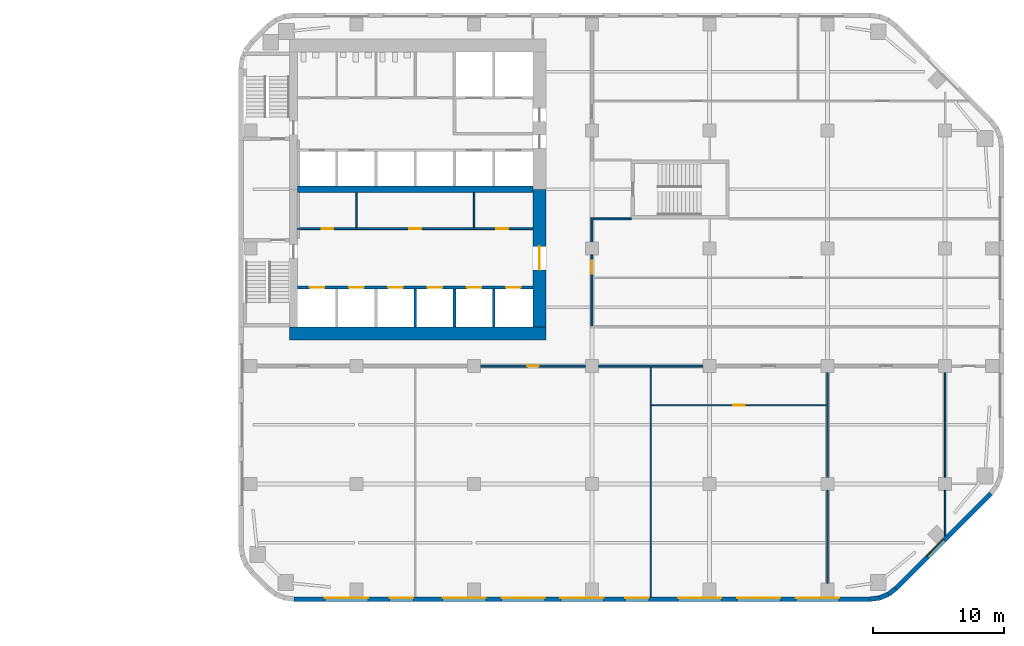
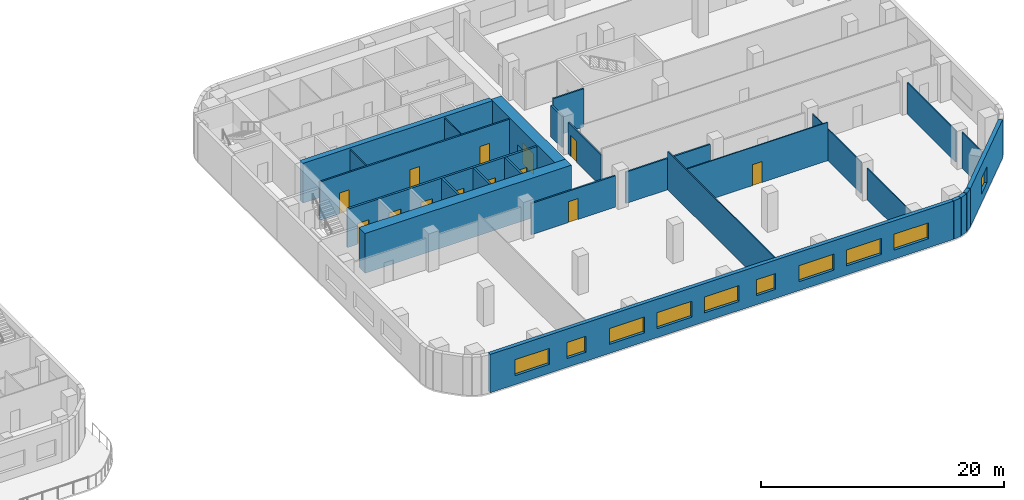
# One storey, part 9 of 15: 26 walls, 13 doors, 10 windows, 23 openings.
"""IFC4 building model written with IfcOpenShell, lengths in metres."""

from ifc_helpers import new_model, si_unit, direction, frame, frame_2d, origin, place, context, subcontext, project, spatial, rectangle, extrude, material, layer, layer_set, type_object, element, fill, save


model = new_model("IFC4")

# Units and contexts
model_context = context("Model", 3, precision=1e-05, world=origin(), true_north=direction((0.0, 1.0)))
body_context = subcontext(model_context, "Body", "Model", "MODEL_VIEW")
ifc_project = project(units=[si_unit("LENGTHUNIT", "METRE"), si_unit("AREAUNIT", "SQUARE_METRE"), si_unit("VOLUMEUNIT", "CUBIC_METRE"), si_unit("PLANEANGLEUNIT", "RADIAN"), si_unit("MASSUNIT", "GRAM", prefix="KILO")], contexts=[model_context])

# Site, building, storey
site_placement = place(None, origin())
site = spatial("IfcSite", under=ifc_project, at=site_placement, CompositionType="ELEMENT")
building_placement = place(site_placement, origin())
building = spatial("IfcBuilding", under=site, at=building_placement, Name="Cinnabar Reach Civic Tower", CompositionType="ELEMENT")
storey_placement = place(building_placement, frame((0.0, 0.0, 51.0)))
storey = spatial("IfcBuildingStorey", under=building, at=storey_placement, Name="L11", CompositionType="ELEMENT", Elevation=51.0)

# Walls
ifc_material_1 = material(Name="Facing brick with insulated backing", Category="masonry")
ifc_layer_1 = layer(ifc_material_1, 0.36)
ifc_layer_set_1 = layer_set([ifc_layer_1], Name="Brick corner wall")
wall_type_1 = type_object("IfcWallType", Name="Brick corner wall", PredefinedType="STANDARD", material=ifc_layer_set_1)
for number, where, z_axis, x_axis, name in (
    (1, (48.2686, 0.183, 0.0), (0.0, 0.0, 1.0), (0.99144092581, 0.13055608231, 0.0), "Brick corner wall"),
    (2, (48.9973, 0.2819, 0.0), (0.0, 0.0, 1.0), (0.923871547278, 0.382702709855, 0.0), "Brick corner wall"),
):
    element("IfcWall", number, at=place(storey_placement, frame(where, z_axis=z_axis, x_axis=x_axis)), inside=storey, type_object=wall_type_1, Name=name, PredefinedType="STANDARD", context=body_context, shape_type="SweptSolid", body=[
        extrude(rectangle(XDim=0.7131, YDim=0.36, at=frame_2d((0.3565, 0.0))), origin(), (0.0, 0.0, 1.0), 3.85),
    ])
wall_1_placement = place(storey_placement, frame((49.6755, 0.566, 0.0), z_axis=(0.0, 0.0, 1.0), x_axis=(0.793321924995, 0.608802368033, 0.0)))
element("IfcWall", 3, at=wall_1_placement, inside=storey, type_object=wall_type_1, Name="Brick corner wall", PredefinedType="STANDARD", context=body_context, shape_type="SweptSolid", body=[
    extrude(rectangle(XDim=0.7132, YDim=0.36, at=frame_2d((0.3566, 0.0))), origin(), (0.0, 0.0, 1.0), 3.85),
])

# Wall, openings, windows
ifc_layer_2 = layer(ifc_material_1, 0.36)
ifc_layer_set_2 = layer_set([ifc_layer_2], Name="Brick pier and spandrel wall")
wall_type_2 = type_object("IfcWallType", Name="Brick pier and spandrel wall", PredefinedType="STANDARD", material=ifc_layer_set_2)
wall_2_placement = place(storey_placement, frame((4.2426, 0.18, 0.0), z_axis=(0.0, 0.0, 1.0), x_axis=(1.0, 0.0, 0.0)))
wall_2 = element("IfcWall", 4, at=wall_2_placement, inside=storey, type_object=wall_type_2, Name="Brick facade wall", PredefinedType="STANDARD", context=body_context, shape_type="SweptSolid", body=[
    extrude(rectangle(XDim=44.0148, YDim=0.36, at=frame_2d((22.0074, 0.0))), origin(), (0.0, 0.0, 1.0), 3.85),
])
opening_1_placement = place(wall_2_placement, frame((2.3574, 0.0, 0.9)))
opening_1 = element("IfcOpeningElement", 5, at=opening_1_placement, cuts=wall_2, Name="Opening W1159", PredefinedType="OPENING", context=body_context, shape_type="SweptSolid", body=[
    extrude(rectangle(XDim=3.3, YDim=1.6, at=frame_2d((1.65, 0.8))), frame((0.0, 0.19, 0.0), z_axis=(0.0, -1.0, 0.0), x_axis=(1.0, 0.0, 0.0)), (0.0, 0.0, 1.0), 0.38),
])
opening_2_placement = place(wall_2_placement, frame((7.3074, 0.0, 0.9)))
opening_2 = element("IfcOpeningElement", 6, at=opening_2_placement, cuts=wall_2, Name="Opening W1160", PredefinedType="OPENING", context=body_context, shape_type="SweptSolid", body=[
    extrude(rectangle(XDim=1.8, YDim=1.6, at=frame_2d((0.9, 0.8))), frame((0.0, 0.19, 0.0), z_axis=(0.0, -1.0, 0.0), x_axis=(1.0, 0.0, 0.0)), (0.0, 0.0, 1.0), 0.38),
])
opening_3_placement = place(wall_2_placement, frame((11.3574, 0.0, 0.9)))
opening_3 = element("IfcOpeningElement", 7, at=opening_3_placement, cuts=wall_2, Name="Opening W1161", PredefinedType="OPENING", context=body_context, shape_type="SweptSolid", body=[
    extrude(rectangle(XDim=3.3, YDim=1.6, at=frame_2d((1.65, 0.8))), frame((0.0, 0.19, 0.0), z_axis=(0.0, -1.0, 0.0), x_axis=(1.0, 0.0, 0.0)), (0.0, 0.0, 1.0), 0.38),
])
opening_4_placement = place(wall_2_placement, frame((15.8574, 0.0, 0.9)))
opening_4 = element("IfcOpeningElement", 8, at=opening_4_placement, cuts=wall_2, Name="Opening W1162", PredefinedType="OPENING", context=body_context, shape_type="SweptSolid", body=[
    extrude(rectangle(XDim=3.3, YDim=1.6, at=frame_2d((1.65, 0.8))), frame((0.0, 0.19, 0.0), z_axis=(0.0, -1.0, 0.0), x_axis=(1.0, 0.0, 0.0)), (0.0, 0.0, 1.0), 0.38),
])
opening_5_placement = place(wall_2_placement, frame((20.3574, 0.0, 0.9)))
opening_5 = element("IfcOpeningElement", 9, at=opening_5_placement, cuts=wall_2, Name="Opening W1163", PredefinedType="OPENING", context=body_context, shape_type="SweptSolid", body=[
    extrude(rectangle(XDim=3.3, YDim=1.6, at=frame_2d((1.65, 0.8))), frame((0.0, 0.19, 0.0), z_axis=(0.0, -1.0, 0.0), x_axis=(1.0, 0.0, 0.0)), (0.0, 0.0, 1.0), 0.38),
])
opening_6_placement = place(wall_2_placement, frame((25.3074, 0.0, 0.9)))
opening_6 = element("IfcOpeningElement", 10, at=opening_6_placement, cuts=wall_2, Name="Opening W1164", PredefinedType="OPENING", context=body_context, shape_type="SweptSolid", body=[
    extrude(rectangle(XDim=1.8, YDim=1.6, at=frame_2d((0.9, 0.8))), frame((0.0, 0.19, 0.0), z_axis=(0.0, -1.0, 0.0), x_axis=(1.0, 0.0, 0.0)), (0.0, 0.0, 1.0), 0.38),
])
opening_7_placement = place(wall_2_placement, frame((29.3574, 0.0, 0.9)))
opening_7 = element("IfcOpeningElement", 11, at=opening_7_placement, cuts=wall_2, Name="Opening W1165", PredefinedType="OPENING", context=body_context, shape_type="SweptSolid", body=[
    extrude(rectangle(XDim=3.3, YDim=1.6, at=frame_2d((1.65, 0.8))), frame((0.0, 0.19, 0.0), z_axis=(0.0, -1.0, 0.0), x_axis=(1.0, 0.0, 0.0)), (0.0, 0.0, 1.0), 0.38),
])
opening_8_placement = place(wall_2_placement, frame((33.8574, 0.0, 0.9)))
opening_8 = element("IfcOpeningElement", 12, at=opening_8_placement, cuts=wall_2, Name="Opening W1166", PredefinedType="OPENING", context=body_context, shape_type="SweptSolid", body=[
    extrude(rectangle(XDim=3.3, YDim=1.6, at=frame_2d((1.65, 0.8))), frame((0.0, 0.19, 0.0), z_axis=(0.0, -1.0, 0.0), x_axis=(1.0, 0.0, 0.0)), (0.0, 0.0, 1.0), 0.38),
])
opening_9_placement = place(wall_2_placement, frame((38.3574, 0.0, 0.9)))
opening_9 = element("IfcOpeningElement", 13, at=opening_9_placement, cuts=wall_2, Name="Opening W1167", PredefinedType="OPENING", context=body_context, shape_type="SweptSolid", body=[
    extrude(rectangle(XDim=3.3, YDim=1.6, at=frame_2d((1.65, 0.8))), frame((0.0, 0.19, 0.0), z_axis=(0.0, -1.0, 0.0), x_axis=(1.0, 0.0, 0.0)), (0.0, 0.0, 1.0), 0.38),
])
ifc_material_2 = material(Name="Clear double glazing in aluminium frame", Category="aluminium")
window_type_1 = type_object("IfcWindowType", Name="Deep-set window A", PartitioningType="SINGLE_PANEL", PredefinedType="WINDOW", material=ifc_material_2)
window_1_placement = place(opening_1_placement, origin())
window_1 = element("IfcWindow", 14, at=window_1_placement, inside=storey, type_object=window_type_1, Name="Window south face", OverallHeight=1.6, OverallWidth=3.3, PartitioningType="SINGLE_PANEL", PredefinedType="WINDOW", context=body_context, shape_type="SweptSolid", body=[
    extrude(rectangle(XDim=3.3, YDim=1.6, at=frame_2d((1.65, 0.8))), frame((0.0, 0.13, 0.0), z_axis=(0.0, -1.0, 0.0), x_axis=(1.0, 0.0, 0.0)), (0.0, 0.0, 1.0), 0.06),
])
fill(opening_1, window_1)
window_2_placement = place(opening_3_placement, origin())
window_2 = element("IfcWindow", 15, at=window_2_placement, inside=storey, type_object=window_type_1, Name="Window south face", OverallHeight=1.6, OverallWidth=3.3, PartitioningType="SINGLE_PANEL", PredefinedType="WINDOW", context=body_context, shape_type="SweptSolid", body=[
    extrude(rectangle(XDim=3.3, YDim=1.6, at=frame_2d((1.65, 0.8))), frame((0.0, 0.13, 0.0), z_axis=(0.0, -1.0, 0.0), x_axis=(1.0, 0.0, 0.0)), (0.0, 0.0, 1.0), 0.06),
])
fill(opening_3, window_2)
window_3_placement = place(opening_4_placement, origin())
window_3 = element("IfcWindow", 16, at=window_3_placement, inside=storey, type_object=window_type_1, Name="Window south face", OverallHeight=1.6, OverallWidth=3.3, PartitioningType="SINGLE_PANEL", PredefinedType="WINDOW", context=body_context, shape_type="SweptSolid", body=[
    extrude(rectangle(XDim=3.3, YDim=1.6, at=frame_2d((1.65, 0.8))), frame((0.0, 0.13, 0.0), z_axis=(0.0, -1.0, 0.0), x_axis=(1.0, 0.0, 0.0)), (0.0, 0.0, 1.0), 0.06),
])
fill(opening_4, window_3)
window_4_placement = place(opening_5_placement, origin())
window_4 = element("IfcWindow", 17, at=window_4_placement, inside=storey, type_object=window_type_1, Name="Window south face", OverallHeight=1.6, OverallWidth=3.3, PartitioningType="SINGLE_PANEL", PredefinedType="WINDOW", context=body_context, shape_type="SweptSolid", body=[
    extrude(rectangle(XDim=3.3, YDim=1.6, at=frame_2d((1.65, 0.8))), frame((0.0, 0.13, 0.0), z_axis=(0.0, -1.0, 0.0), x_axis=(1.0, 0.0, 0.0)), (0.0, 0.0, 1.0), 0.06),
])
fill(opening_5, window_4)
window_5_placement = place(opening_7_placement, origin())
window_5 = element("IfcWindow", 18, at=window_5_placement, inside=storey, type_object=window_type_1, Name="Window south face", OverallHeight=1.6, OverallWidth=3.3, PartitioningType="SINGLE_PANEL", PredefinedType="WINDOW", context=body_context, shape_type="SweptSolid", body=[
    extrude(rectangle(XDim=3.3, YDim=1.6, at=frame_2d((1.65, 0.8))), frame((0.0, 0.13, 0.0), z_axis=(0.0, -1.0, 0.0), x_axis=(1.0, 0.0, 0.0)), (0.0, 0.0, 1.0), 0.06),
])
fill(opening_7, window_5)
window_6_placement = place(opening_8_placement, origin())
window_6 = element("IfcWindow", 19, at=window_6_placement, inside=storey, type_object=window_type_1, Name="Window south face", OverallHeight=1.6, OverallWidth=3.3, PartitioningType="SINGLE_PANEL", PredefinedType="WINDOW", context=body_context, shape_type="SweptSolid", body=[
    extrude(rectangle(XDim=3.3, YDim=1.6, at=frame_2d((1.65, 0.8))), frame((0.0, 0.13, 0.0), z_axis=(0.0, -1.0, 0.0), x_axis=(1.0, 0.0, 0.0)), (0.0, 0.0, 1.0), 0.06),
])
fill(opening_8, window_6)
window_7_placement = place(opening_9_placement, origin())
window_7 = element("IfcWindow", 20, at=window_7_placement, inside=storey, type_object=window_type_1, Name="Window south face", OverallHeight=1.6, OverallWidth=3.3, PartitioningType="SINGLE_PANEL", PredefinedType="WINDOW", context=body_context, shape_type="SweptSolid", body=[
    extrude(rectangle(XDim=3.3, YDim=1.6, at=frame_2d((1.65, 0.8))), frame((0.0, 0.13, 0.0), z_axis=(0.0, -1.0, 0.0), x_axis=(1.0, 0.0, 0.0)), (0.0, 0.0, 1.0), 0.06),
])
fill(opening_9, window_7)
window_type_2 = type_object("IfcWindowType", Name="Deep-set window D", PartitioningType="SINGLE_PANEL", PredefinedType="WINDOW", material=ifc_material_2)
window_8_placement = place(opening_2_placement, origin())
window_8 = element("IfcWindow", 21, at=window_8_placement, inside=storey, type_object=window_type_2, Name="Window south face", OverallHeight=1.6, OverallWidth=1.8, PartitioningType="SINGLE_PANEL", PredefinedType="WINDOW", context=body_context, shape_type="SweptSolid", body=[
    extrude(rectangle(XDim=1.8, YDim=1.6, at=frame_2d((0.9, 0.8))), frame((0.0, 0.13, 0.0), z_axis=(0.0, -1.0, 0.0), x_axis=(1.0, 0.0, 0.0)), (0.0, 0.0, 1.0), 0.06),
])
fill(opening_2, window_8)
window_9_placement = place(opening_6_placement, origin())
window_9 = element("IfcWindow", 22, at=window_9_placement, inside=storey, type_object=window_type_2, Name="Window south face", OverallHeight=1.6, OverallWidth=1.8, PartitioningType="SINGLE_PANEL", PredefinedType="WINDOW", context=body_context, shape_type="SweptSolid", body=[
    extrude(rectangle(XDim=1.8, YDim=1.6, at=frame_2d((0.9, 0.8))), frame((0.0, 0.13, 0.0), z_axis=(0.0, -1.0, 0.0), x_axis=(1.0, 0.0, 0.0)), (0.0, 0.0, 1.0), 0.06),
])
fill(opening_6, window_9)

# Wall, opening, window
wall_3_placement = place(storey_placement, frame((50.2514, 1.006, 0.0), z_axis=(0.0, 0.0, 1.0), x_axis=(0.707106781187, 0.707106781187, 0.0)))
wall_3 = element("IfcWall", 23, at=wall_3_placement, inside=storey, type_object=wall_type_2, Name="Brick facade wall", PredefinedType="STANDARD", context=body_context, shape_type="SweptSolid", body=[
    extrude(rectangle(XDim=10.2426, YDim=0.36, at=frame_2d((5.1213, 0.0))), origin(), (0.0, 0.0, 1.0), 3.85),
])
opening_10_placement = place(wall_3_placement, frame((3.4213, 0.0, 0.9)))
opening_10 = element("IfcOpeningElement", 24, at=opening_10_placement, cuts=wall_3, Name="Opening W1168", PredefinedType="OPENING", context=body_context, shape_type="SweptSolid", body=[
    extrude(rectangle(XDim=1.8, YDim=1.6, at=frame_2d((0.9, 0.8))), frame((0.0, 0.19, 0.0), z_axis=(0.0, -1.0, 0.0), x_axis=(1.0, 0.0, 0.0)), (0.0, 0.0, 1.0), 0.38),
])
window_10_placement = place(opening_10_placement, origin())
window_10 = element("IfcWindow", 25, at=window_10_placement, inside=storey, type_object=window_type_2, Name="Window southeast face", OverallHeight=1.6, OverallWidth=1.8, PartitioningType="SINGLE_PANEL", PredefinedType="WINDOW", context=body_context, shape_type="SweptSolid", body=[
    extrude(rectangle(XDim=1.8, YDim=1.6, at=frame_2d((0.9, 0.8))), frame((0.0, 0.13, 0.0), z_axis=(0.0, -1.0, 0.0), x_axis=(1.0, 0.0, 0.0)), (0.0, 0.0, 1.0), 0.06),
])
fill(opening_10, window_10)

# Wall
ifc_material_3 = material(Name="Concrete C70", Category="concrete")
ifc_layer_3 = layer(ifc_material_3, 1.0)
ifc_layer_set_3 = layer_set([ifc_layer_3], Name="Core wall 1000 EI 180")
wall_type_3 = type_object("IfcWallType", Name="Core wall 1000 EI 180", PredefinedType="SOLIDWALL", material=ifc_layer_set_3)
wall_4_placement = place(storey_placement, frame((3.9, 20.5, 0.0), z_axis=(0.0, 0.0, 1.0), x_axis=(1.0, 0.0, 0.0)))
element("IfcWall", 26, at=wall_4_placement, inside=storey, type_object=wall_type_3, Name="Core wall T1 L11 S", PredefinedType="SOLIDWALL", context=body_context, shape_type="SweptSolid", body=[
    extrude(rectangle(XDim=19.6, YDim=1.0, at=frame_2d((9.8, 0.0))), origin(), (0.0, 0.0, 1.0), 4.0),
])

# Wall, opening, door
wall_5_placement = place(storey_placement, frame((23.0, 21.0, 0.0), z_axis=(0.0, 0.0, 1.0), x_axis=(0.0, 1.0, 0.0)))
wall_5 = element("IfcWall", 27, at=wall_5_placement, inside=storey, type_object=wall_type_3, Name="Core wall T1 L11 E", PredefinedType="SOLIDWALL", context=body_context, shape_type="SweptSolid", body=[
    extrude(rectangle(XDim=10.5, YDim=1.0, at=frame_2d((5.25, 0.0))), origin(), (0.0, 0.0, 1.0), 4.0),
])
opening_11_placement = place(wall_5_placement, frame((4.35, 0.0, 0.0)))
opening_11 = element("IfcOpeningElement", 28, at=opening_11_placement, cuts=wall_5, Name="Opening D3447", PredefinedType="OPENING", context=body_context, shape_type="SweptSolid", body=[
    extrude(rectangle(XDim=1.8, YDim=2.1, at=frame_2d((0.9, 1.05))), frame((0.0, 0.51, 0.0), z_axis=(0.0, -1.0, 0.0), x_axis=(1.0, 0.0, 0.0)), (0.0, 0.0, 1.0), 1.02),
])
ifc_material_4 = material(Name="Timber door leaf in steel frame", Category="steel")
door_type_1 = type_object("IfcDoorType", Name="Double swing door 1800 x 2100 T1", OperationType="DOUBLE_DOOR_DOUBLE_SWING", PredefinedType="DOOR", material=ifc_material_4)
door_1_placement = place(opening_11_placement, origin())
door_1 = element("IfcDoor", 29, at=door_1_placement, inside=storey, type_object=door_type_1, Name="Door D3447", OperationType="DOUBLE_DOOR_DOUBLE_SWING", OverallHeight=2.1, OverallWidth=1.8, PredefinedType="DOOR", context=body_context, shape_type="SweptSolid", body=[
    extrude(rectangle(XDim=1.8, YDim=2.1, at=frame_2d((0.9, 1.05))), frame((0.0, 0.025, 0.0), z_axis=(0.0, -1.0, 0.0), x_axis=(1.0, 0.0, 0.0)), (0.0, 0.0, 1.0), 0.05),
])
fill(opening_11, door_1)

# Walls
ifc_material_5 = material(Name="Concrete C60", Category="concrete")
ifc_layer_4 = layer(ifc_material_5, 0.5)
ifc_layer_set_4 = layer_set([ifc_layer_4], Name="Core wall 500 EI 180")
wall_type_4 = type_object("IfcWallType", Name="Core wall 500 EI 180", PredefinedType="SOLIDWALL", material=ifc_layer_set_4)
wall_6_placement = place(storey_placement, frame((4.5, 31.5, 0.0), z_axis=(0.0, 0.0, 1.0), x_axis=(1.0, 0.0, 0.0)))
element("IfcWall", 30, at=wall_6_placement, inside=storey, type_object=wall_type_4, Name="Core spine wall T1 L11", PredefinedType="SOLIDWALL", context=body_context, shape_type="SweptSolid", body=[
    extrude(rectangle(XDim=18.0, YDim=0.5, at=frame_2d((9.0, 0.0))), origin(), (0.0, 0.0, 1.0), 4.0),
])
ifc_material_6 = material(Name="Gypsum board on steel studs, double layer", Category="steel")
ifc_layer_5 = layer(ifc_material_6, 0.15)
ifc_layer_set_5 = layer_set([ifc_layer_5], Name="Corridor wall 150 T1")
wall_type_5 = type_object("IfcWallType", Name="Corridor wall 150 T1", PredefinedType="PARTITIONING", material=ifc_layer_set_5)
wall_7_placement = place(storey_placement, frame((27.5, 18.0, 0.0), z_axis=(0.0, 0.0, 1.0), x_axis=(1.0, 0.0, 0.0)))
element("IfcWall", 31, at=wall_7_placement, inside=storey, type_object=wall_type_5, Name="Corridor wall 22", PredefinedType="PARTITIONING", context=body_context, shape_type="SweptSolid", body=[
    extrude(rectangle(XDim=8.0, YDim=0.15, at=frame_2d((4.0, 0.0))), origin(), (0.0, 0.0, 1.0), 3.15),
])

# Wall, opening, door
wall_8_placement = place(storey_placement, frame((18.5, 18.0, 0.0), z_axis=(0.0, 0.0, 1.0), x_axis=(1.0, 0.0, 0.0)))
wall_8 = element("IfcWall", 32, at=wall_8_placement, inside=storey, type_object=wall_type_5, Name="Corridor wall 23", PredefinedType="PARTITIONING", context=body_context, shape_type="SweptSolid", body=[
    extrude(rectangle(XDim=8.0, YDim=0.15, at=frame_2d((4.0, 0.0))), origin(), (0.0, 0.0, 1.0), 3.15),
])
opening_12_placement = place(wall_8_placement, frame((3.55, 0.0, 0.0)))
opening_12 = element("IfcOpeningElement", 33, at=opening_12_placement, cuts=wall_8, Name="Opening D3464", PredefinedType="OPENING", context=body_context, shape_type="SweptSolid", body=[
    extrude(rectangle(XDim=0.9, YDim=2.1, at=frame_2d((0.45, 1.05))), frame((0.0, 0.085, 0.0), z_axis=(0.0, -1.0, 0.0), x_axis=(1.0, 0.0, 0.0)), (0.0, 0.0, 1.0), 0.17),
])
door_type_2 = type_object("IfcDoorType", Name="Single swing door 900 x 2100 corridor T1", OperationType="SINGLE_SWING_LEFT", PredefinedType="DOOR", material=ifc_material_4)
door_2_placement = place(opening_12_placement, frame((0.9, 0.0, 0.0), z_axis=(0.0, 0.0, 1.0), x_axis=(-1.0, 0.0, 0.0)))
door_2 = element("IfcDoor", 34, at=door_2_placement, inside=storey, type_object=door_type_2, Name="Door D3464", OperationType="SINGLE_SWING_RIGHT", OverallHeight=2.1, OverallWidth=0.9, PredefinedType="DOOR", context=body_context, shape_type="SweptSolid", body=[
    extrude(rectangle(XDim=0.9, YDim=2.1, at=frame_2d((0.45, 1.05))), frame((0.0, 0.025, 0.0), z_axis=(0.0, -1.0, 0.0), x_axis=(1.0, 0.0, 0.0)), (0.0, 0.0, 1.0), 0.05),
])
fill(opening_12, door_2)

# Wall, openings, doors
wall_9_placement = place(storey_placement, frame((4.5, 28.5, 0.0), z_axis=(0.0, 0.0, 1.0), x_axis=(1.0, 0.0, 0.0)))
wall_9 = element("IfcWall", 35, at=wall_9_placement, inside=storey, type_object=wall_type_5, Name="Corridor wall 27", PredefinedType="PARTITIONING", context=body_context, shape_type="SweptSolid", body=[
    extrude(rectangle(XDim=18.0, YDim=0.15, at=frame_2d((9.0, 0.0))), origin(), (0.0, 0.0, 1.0), 3.85),
])
opening_13_placement = place(wall_9_placement, frame((1.85, 0.0, 0.0)))
opening_13 = element("IfcOpeningElement", 36, at=opening_13_placement, cuts=wall_9, Name="Opening D3451", PredefinedType="OPENING", context=body_context, shape_type="SweptSolid", body=[
    extrude(rectangle(XDim=0.9, YDim=2.1, at=frame_2d((0.45, 1.05))), frame((0.0, 0.085, 0.0), z_axis=(0.0, -1.0, 0.0), x_axis=(1.0, 0.0, 0.0)), (0.0, 0.0, 1.0), 0.17),
])
opening_14_placement = place(wall_9_placement, frame((8.55, 0.0, 0.0)))
opening_14 = element("IfcOpeningElement", 37, at=opening_14_placement, cuts=wall_9, Name="Opening D3452", PredefinedType="OPENING", context=body_context, shape_type="SweptSolid", body=[
    extrude(rectangle(XDim=0.9, YDim=2.1, at=frame_2d((0.45, 1.05))), frame((0.0, 0.085, 0.0), z_axis=(0.0, -1.0, 0.0), x_axis=(1.0, 0.0, 0.0)), (0.0, 0.0, 1.0), 0.17),
])
opening_15_placement = place(wall_9_placement, frame((15.2, 0.0, 0.0)))
opening_15 = element("IfcOpeningElement", 38, at=opening_15_placement, cuts=wall_9, Name="Opening D3453", PredefinedType="OPENING", context=body_context, shape_type="SweptSolid", body=[
    extrude(rectangle(XDim=0.9, YDim=2.1, at=frame_2d((0.45, 1.05))), frame((0.0, 0.085, 0.0), z_axis=(0.0, -1.0, 0.0), x_axis=(1.0, 0.0, 0.0)), (0.0, 0.0, 1.0), 0.17),
])
door_3_placement = place(opening_13_placement, origin())
door_3 = element("IfcDoor", 39, at=door_3_placement, inside=storey, type_object=door_type_2, Name="Door D3451", OperationType="SINGLE_SWING_RIGHT", OverallHeight=2.1, OverallWidth=0.9, PredefinedType="DOOR", context=body_context, shape_type="SweptSolid", body=[
    extrude(rectangle(XDim=0.9, YDim=2.1, at=frame_2d((0.45, 1.05))), frame((0.0, 0.025, 0.0), z_axis=(0.0, -1.0, 0.0), x_axis=(1.0, 0.0, 0.0)), (0.0, 0.0, 1.0), 0.05),
])
fill(opening_13, door_3)
door_4_placement = place(opening_14_placement, origin())
door_4 = element("IfcDoor", 40, at=door_4_placement, inside=storey, type_object=door_type_2, Name="Door D3452", OperationType="SINGLE_SWING_LEFT", OverallHeight=2.1, OverallWidth=0.9, PredefinedType="DOOR", context=body_context, shape_type="SweptSolid", body=[
    extrude(rectangle(XDim=0.9, YDim=2.1, at=frame_2d((0.45, 1.05))), frame((0.0, 0.025, 0.0), z_axis=(0.0, -1.0, 0.0), x_axis=(1.0, 0.0, 0.0)), (0.0, 0.0, 1.0), 0.05),
])
fill(opening_14, door_4)
door_5_placement = place(opening_15_placement, origin())
door_5 = element("IfcDoor", 41, at=door_5_placement, inside=storey, type_object=door_type_2, Name="Door D3453", OperationType="SINGLE_SWING_LEFT", OverallHeight=2.1, OverallWidth=0.9, PredefinedType="DOOR", context=body_context, shape_type="SweptSolid", body=[
    extrude(rectangle(XDim=0.9, YDim=2.1, at=frame_2d((0.45, 1.05))), frame((0.0, 0.025, 0.0), z_axis=(0.0, -1.0, 0.0), x_axis=(1.0, 0.0, 0.0)), (0.0, 0.0, 1.0), 0.05),
])
fill(opening_15, door_5)

# Wall, opening, door
wall_10_placement = place(storey_placement, frame((27.0, 21.075, 0.0), z_axis=(0.0, 0.0, 1.0), x_axis=(0.0, 1.0, 0.0)))
wall_10 = element("IfcWall", 42, at=wall_10_placement, inside=storey, type_object=wall_type_5, Name="Corridor wall 31", PredefinedType="PARTITIONING", context=body_context, shape_type="SweptSolid", body=[
    extrude(rectangle(XDim=5.425, YDim=0.15, at=frame_2d((2.7125, 0.0))), origin(), (0.0, 0.0, 1.0), 3.158),
])
opening_16_placement = place(wall_10_placement, frame((3.975, 0.0, 0.0)))
opening_16 = element("IfcOpeningElement", 43, at=opening_16_placement, cuts=wall_10, Name="Opening D3461", PredefinedType="OPENING", context=body_context, shape_type="SweptSolid", body=[
    extrude(rectangle(XDim=1.0, YDim=2.1, at=frame_2d((0.5, 1.05))), frame((0.0, 0.085, 0.0), z_axis=(0.0, -1.0, 0.0), x_axis=(1.0, 0.0, 0.0)), (0.0, 0.0, 1.0), 0.17),
])
door_type_3 = type_object("IfcDoorType", Name="Tenancy entrance door 1000 x 2100 T1", OperationType="SINGLE_SWING_LEFT", PredefinedType="DOOR", material=ifc_material_4)
door_6_placement = place(opening_16_placement, frame((1.0, 0.0, 0.0), z_axis=(0.0, 0.0, 1.0), x_axis=(-1.0, 0.0, 0.0)))
door_6 = element("IfcDoor", 44, at=door_6_placement, inside=storey, type_object=door_type_3, Name="Door D3461", OperationType="SINGLE_SWING_RIGHT", OverallHeight=2.1, OverallWidth=1.0, PredefinedType="DOOR", context=body_context, shape_type="SweptSolid", body=[
    extrude(rectangle(XDim=1.0, YDim=2.1, at=frame_2d((0.5, 1.05))), frame((0.0, 0.025, 0.0), z_axis=(0.0, -1.0, 0.0), x_axis=(1.0, 0.0, 0.0)), (0.0, 0.0, 1.0), 0.05),
])
fill(opening_16, door_6)

# Walls
wall_11_placement = place(storey_placement, frame((27.0, 27.5, 0.0), z_axis=(0.0, 0.0, 1.0), x_axis=(0.0, 1.0, 0.0)))
element("IfcWall", 45, at=wall_11_placement, inside=storey, type_object=wall_type_5, Name="Corridor wall 32", PredefinedType="PARTITIONING", context=body_context, shape_type="SweptSolid", body=[
    extrude(rectangle(XDim=1.825, YDim=0.15, at=frame_2d((0.9125, 0.0))), origin(), (0.0, 0.0, 1.0), 3.158),
])
wall_12_placement = place(storey_placement, frame((27.075, 29.25, 0.0), z_axis=(0.0, 0.0, 1.0), x_axis=(1.0, 0.0, 0.0)))
element("IfcWall", 46, at=wall_12_placement, inside=storey, type_object=wall_type_5, Name="Corridor wall 35", PredefinedType="PARTITIONING", context=body_context, shape_type="SweptSolid", body=[
    extrude(rectangle(XDim=2.925, YDim=0.15, at=frame_2d((1.4625, 0.0))), origin(), (0.0, 0.0, 1.0), 3.85),
])

# Wall, openings, doors
ifc_material_7 = material(Name="Blockwork", Category="masonry")
ifc_layer_6 = layer(ifc_material_7, 0.2)
ifc_layer_set_6 = layer_set([ifc_layer_6], Name="Lift shaft wall 200 T1")
wall_type_6 = type_object("IfcWallType", Name="Lift shaft wall 200 T1", PredefinedType="PARTITIONING", material=ifc_layer_set_6)
wall_13_placement = place(storey_placement, frame((4.5, 24.0, 0.0), z_axis=(0.0, 0.0, 1.0), x_axis=(1.0, 0.0, 0.0)))
wall_13 = element("IfcWall", 47, at=wall_13_placement, inside=storey, type_object=wall_type_6, Name="Lift shaft wall 4", PredefinedType="PARTITIONING", context=body_context, shape_type="SweptSolid", body=[
    extrude(rectangle(XDim=18.0, YDim=0.2, at=frame_2d((9.0, 0.0))), origin(), (0.0, 0.0, 1.0), 3.85),
])
opening_17_placement = place(wall_13_placement, frame((0.95, 0.0, 0.0)))
opening_17 = element("IfcOpeningElement", 48, at=opening_17_placement, cuts=wall_13, Name="Opening D3435", PredefinedType="OPENING", context=body_context, shape_type="SweptSolid", body=[
    extrude(rectangle(XDim=1.1, YDim=2.1, at=frame_2d((0.55, 1.05))), frame((0.0, 0.11, 0.0), z_axis=(0.0, -1.0, 0.0), x_axis=(1.0, 0.0, 0.0)), (0.0, 0.0, 1.0), 0.22),
])
opening_18_placement = place(wall_13_placement, frame((3.95, 0.0, 0.0)))
opening_18 = element("IfcOpeningElement", 49, at=opening_18_placement, cuts=wall_13, Name="Opening D3436", PredefinedType="OPENING", context=body_context, shape_type="SweptSolid", body=[
    extrude(rectangle(XDim=1.1, YDim=2.1, at=frame_2d((0.55, 1.05))), frame((0.0, 0.11, 0.0), z_axis=(0.0, -1.0, 0.0), x_axis=(1.0, 0.0, 0.0)), (0.0, 0.0, 1.0), 0.22),
])
opening_19_placement = place(wall_13_placement, frame((6.95, 0.0, 0.0)))
opening_19 = element("IfcOpeningElement", 50, at=opening_19_placement, cuts=wall_13, Name="Opening D3437", PredefinedType="OPENING", context=body_context, shape_type="SweptSolid", body=[
    extrude(rectangle(XDim=1.1, YDim=2.1, at=frame_2d((0.55, 1.05))), frame((0.0, 0.11, 0.0), z_axis=(0.0, -1.0, 0.0), x_axis=(1.0, 0.0, 0.0)), (0.0, 0.0, 1.0), 0.22),
])
opening_20_placement = place(wall_13_placement, frame((9.95, 0.0, 0.0)))
opening_20 = element("IfcOpeningElement", 51, at=opening_20_placement, cuts=wall_13, Name="Opening D3438", PredefinedType="OPENING", context=body_context, shape_type="SweptSolid", body=[
    extrude(rectangle(XDim=1.1, YDim=2.1, at=frame_2d((0.55, 1.05))), frame((0.0, 0.11, 0.0), z_axis=(0.0, -1.0, 0.0), x_axis=(1.0, 0.0, 0.0)), (0.0, 0.0, 1.0), 0.22),
])
opening_21_placement = place(wall_13_placement, frame((12.95, 0.0, 0.0)))
opening_21 = element("IfcOpeningElement", 52, at=opening_21_placement, cuts=wall_13, Name="Opening D3439", PredefinedType="OPENING", context=body_context, shape_type="SweptSolid", body=[
    extrude(rectangle(XDim=1.1, YDim=2.1, at=frame_2d((0.55, 1.05))), frame((0.0, 0.11, 0.0), z_axis=(0.0, -1.0, 0.0), x_axis=(1.0, 0.0, 0.0)), (0.0, 0.0, 1.0), 0.22),
])
opening_22_placement = place(wall_13_placement, frame((15.95, 0.0, 0.0)))
opening_22 = element("IfcOpeningElement", 53, at=opening_22_placement, cuts=wall_13, Name="Opening D3440", PredefinedType="OPENING", context=body_context, shape_type="SweptSolid", body=[
    extrude(rectangle(XDim=1.1, YDim=2.1, at=frame_2d((0.55, 1.05))), frame((0.0, 0.11, 0.0), z_axis=(0.0, -1.0, 0.0), x_axis=(1.0, 0.0, 0.0)), (0.0, 0.0, 1.0), 0.22),
])
ifc_material_8 = material(Name="Stainless steel sliding door", Category="steel")
door_type_4 = type_object("IfcDoorType", Name="Lift landing door 1100 x 2100 T1", OperationType="SLIDING_TO_LEFT", PredefinedType="DOOR", material=ifc_material_8)
door_7_placement = place(opening_17_placement, origin())
door_7 = element("IfcDoor", 54, at=door_7_placement, inside=storey, type_object=door_type_4, Name="Lift landing door LR1 L11", OperationType="SLIDING_TO_LEFT", OverallHeight=2.1, OverallWidth=1.1, PredefinedType="DOOR", context=body_context, shape_type="SweptSolid", body=[
    extrude(rectangle(XDim=1.1, YDim=2.1, at=frame_2d((0.55, 1.05))), frame((0.0, 0.025, 0.0), z_axis=(0.0, -1.0, 0.0), x_axis=(1.0, 0.0, 0.0)), (0.0, 0.0, 1.0), 0.05),
])
fill(opening_17, door_7)
door_8_placement = place(opening_18_placement, origin())
door_8 = element("IfcDoor", 55, at=door_8_placement, inside=storey, type_object=door_type_4, Name="Lift landing door LR2 L11", OperationType="SLIDING_TO_LEFT", OverallHeight=2.1, OverallWidth=1.1, PredefinedType="DOOR", context=body_context, shape_type="SweptSolid", body=[
    extrude(rectangle(XDim=1.1, YDim=2.1, at=frame_2d((0.55, 1.05))), frame((0.0, 0.025, 0.0), z_axis=(0.0, -1.0, 0.0), x_axis=(1.0, 0.0, 0.0)), (0.0, 0.0, 1.0), 0.05),
])
fill(opening_18, door_8)
door_9_placement = place(opening_19_placement, origin())
door_9 = element("IfcDoor", 56, at=door_9_placement, inside=storey, type_object=door_type_4, Name="Lift landing door LR3 L11", OperationType="SLIDING_TO_LEFT", OverallHeight=2.1, OverallWidth=1.1, PredefinedType="DOOR", context=body_context, shape_type="SweptSolid", body=[
    extrude(rectangle(XDim=1.1, YDim=2.1, at=frame_2d((0.55, 1.05))), frame((0.0, 0.025, 0.0), z_axis=(0.0, -1.0, 0.0), x_axis=(1.0, 0.0, 0.0)), (0.0, 0.0, 1.0), 0.05),
])
fill(opening_19, door_9)
door_10_placement = place(opening_20_placement, origin())
door_10 = element("IfcDoor", 57, at=door_10_placement, inside=storey, type_object=door_type_4, Name="Lift landing door LR4 L11", OperationType="SLIDING_TO_LEFT", OverallHeight=2.1, OverallWidth=1.1, PredefinedType="DOOR", context=body_context, shape_type="SweptSolid", body=[
    extrude(rectangle(XDim=1.1, YDim=2.1, at=frame_2d((0.55, 1.05))), frame((0.0, 0.025, 0.0), z_axis=(0.0, -1.0, 0.0), x_axis=(1.0, 0.0, 0.0)), (0.0, 0.0, 1.0), 0.05),
])
fill(opening_20, door_10)
door_11_placement = place(opening_21_placement, origin())
door_11 = element("IfcDoor", 58, at=door_11_placement, inside=storey, type_object=door_type_4, Name="Lift landing door LR5 L11", OperationType="SLIDING_TO_LEFT", OverallHeight=2.1, OverallWidth=1.1, PredefinedType="DOOR", context=body_context, shape_type="SweptSolid", body=[
    extrude(rectangle(XDim=1.1, YDim=2.1, at=frame_2d((0.55, 1.05))), frame((0.0, 0.025, 0.0), z_axis=(0.0, -1.0, 0.0), x_axis=(1.0, 0.0, 0.0)), (0.0, 0.0, 1.0), 0.05),
])
fill(opening_21, door_11)
door_12_placement = place(opening_22_placement, origin())
door_12 = element("IfcDoor", 59, at=door_12_placement, inside=storey, type_object=door_type_4, Name="Lift landing door LR6 L11", OperationType="SLIDING_TO_LEFT", OverallHeight=2.1, OverallWidth=1.1, PredefinedType="DOOR", context=body_context, shape_type="SweptSolid", body=[
    extrude(rectangle(XDim=1.1, YDim=2.1, at=frame_2d((0.55, 1.05))), frame((0.0, 0.025, 0.0), z_axis=(0.0, -1.0, 0.0), x_axis=(1.0, 0.0, 0.0)), (0.0, 0.0, 1.0), 0.05),
])
fill(opening_22, door_12)

# Walls
for number, where, z_axis, x_axis, name in (
    (60, (13.5, 21.0, 0.0), (0.0, 0.0, 1.0), (0.0, 1.0, 0.0), "Lift shaft wall 13"),
    (61, (16.5, 21.0, 0.0), (0.0, 0.0, 1.0), (0.0, 1.0, 0.0), "Lift shaft wall 15"),
    (62, (19.5, 21.0, 0.0), (0.0, 0.0, 1.0), (0.0, 1.0, 0.0), "Lift shaft wall 17"),
):
    element("IfcWall", number, at=place(storey_placement, frame(where, z_axis=z_axis, x_axis=x_axis)), inside=storey, type_object=wall_type_6, Name=name, PredefinedType="PARTITIONING", context=body_context, shape_type="SweptSolid", body=[
        extrude(rectangle(XDim=2.9, YDim=0.2, at=frame_2d((1.45, 0.0))), origin(), (0.0, 0.0, 1.0), 3.85),
    ])
ifc_material_9 = material(Name="Gypsum board on steel studs", Category="steel")
ifc_layer_7 = layer(ifc_material_9, 0.1)
ifc_layer_set_7 = layer_set([ifc_layer_7], Name="Partition wall 100 T1")
wall_type_7 = type_object("IfcWallType", Name="Partition wall 100 T1", PredefinedType="PARTITIONING", material=ifc_layer_set_7)
wall_14_placement = place(storey_placement, frame((31.5, 0.36, 0.0), z_axis=(0.0, 0.0, 1.0), x_axis=(0.0, 1.0, 0.0)))
element("IfcWall", 63, at=wall_14_placement, inside=storey, type_object=wall_type_7, Name="Partition wall 44", PredefinedType="PARTITIONING", context=body_context, shape_type="SweptSolid", body=[
    extrude(rectangle(XDim=17.565, YDim=0.1, at=frame_2d((8.7825, 0.0))), origin(), (0.0, 0.0, 1.0), 3.85),
])
wall_15_placement = place(storey_placement, frame((45.0, 1.4, 0.0), z_axis=(0.0, 0.0, 1.0), x_axis=(0.0, 1.0, 0.0)))
element("IfcWall", 64, at=wall_15_placement, inside=storey, type_object=wall_type_7, Name="Partition wall 45", PredefinedType="PARTITIONING", context=body_context, shape_type="SweptSolid", body=[
    extrude(rectangle(XDim=7.1, YDim=0.1, at=frame_2d((3.55, 0.0))), origin(), (0.0, 0.0, 1.0), 3.158),
])
wall_16_placement = place(storey_placement, frame((45.0, 9.5, 0.0), z_axis=(0.0, 0.0, 1.0), x_axis=(0.0, 1.0, 0.0)))
element("IfcWall", 65, at=wall_16_placement, inside=storey, type_object=wall_type_7, Name="Partition wall 46", PredefinedType="PARTITIONING", context=body_context, shape_type="SweptSolid", body=[
    extrude(rectangle(XDim=8.0, YDim=0.1, at=frame_2d((4.0, 0.0))), origin(), (0.0, 0.0, 1.0), 3.158),
])

# Wall, opening, door
wall_17_placement = place(storey_placement, frame((31.55, 15.0, 0.0), z_axis=(0.0, 0.0, 1.0), x_axis=(1.0, 0.0, 0.0)))
wall_17 = element("IfcWall", 66, at=wall_17_placement, inside=storey, type_object=wall_type_7, Name="Partition wall 47", PredefinedType="PARTITIONING", context=body_context, shape_type="SweptSolid", body=[
    extrude(rectangle(XDim=13.4, YDim=0.1, at=frame_2d((6.7, 0.0))), origin(), (0.0, 0.0, 1.0), 3.85),
])
opening_23_placement = place(wall_17_placement, frame((6.25, 0.0, 0.0)))
opening_23 = element("IfcOpeningElement", 67, at=opening_23_placement, cuts=wall_17, Name="Opening D3466", PredefinedType="OPENING", context=body_context, shape_type="SweptSolid", body=[
    extrude(rectangle(XDim=0.9, YDim=2.1, at=frame_2d((0.45, 1.05))), frame((0.0, 0.06, 0.0), z_axis=(0.0, -1.0, 0.0), x_axis=(1.0, 0.0, 0.0)), (0.0, 0.0, 1.0), 0.12),
])
door_type_5 = type_object("IfcDoorType", Name="Single swing door 900 x 2100 T1", OperationType="SINGLE_SWING_LEFT", PredefinedType="DOOR", material=ifc_material_4)
door_13_placement = place(opening_23_placement, origin())
door_13 = element("IfcDoor", 68, at=door_13_placement, inside=storey, type_object=door_type_5, Name="Door D3466", OperationType="SINGLE_SWING_RIGHT", OverallHeight=2.1, OverallWidth=0.9, PredefinedType="DOOR", context=body_context, shape_type="SweptSolid", body=[
    extrude(rectangle(XDim=0.9, YDim=2.1, at=frame_2d((0.45, 1.05))), frame((0.0, 0.025, 0.0), z_axis=(0.0, -1.0, 0.0), x_axis=(1.0, 0.0, 0.0)), (0.0, 0.0, 1.0), 0.05),
])
fill(opening_23, door_13)

# Walls
wall_18_placement = place(storey_placement, frame((54.0, 5.0091, 0.0), z_axis=(0.0, 0.0, 1.0), x_axis=(0.0, 1.0, 0.0)))
element("IfcWall", 69, at=wall_18_placement, inside=storey, type_object=wall_type_7, Name="Partition wall 48", PredefinedType="PARTITIONING", context=body_context, shape_type="SweptSolid", body=[
    extrude(rectangle(XDim=3.4909, YDim=0.1, at=frame_2d((1.7454, 0.0))), origin(), (0.0, 0.0, 1.0), 3.652),
])
wall_19_placement = place(storey_placement, frame((54.0, 9.5, 0.0), z_axis=(0.0, 0.0, 1.0), x_axis=(0.0, 1.0, 0.0)))
element("IfcWall", 70, at=wall_19_placement, inside=storey, type_object=wall_type_7, Name="Partition wall 49", PredefinedType="PARTITIONING", context=body_context, shape_type="SweptSolid", body=[
    extrude(rectangle(XDim=8.0, YDim=0.1, at=frame_2d((4.0, 0.0))), origin(), (0.0, 0.0, 1.0), 3.158),
])
for number, where, z_axis, x_axis, name in (
    (71, (9.0, 28.575, 0.0), (0.0, 0.0, 1.0), (0.0, 1.0, 0.0), "Partition wall 53"),
    (72, (18.0, 28.575, 0.0), (0.0, 0.0, 1.0), (0.0, 1.0, 0.0), "Partition wall 54"),
):
    element("IfcWall", number, at=place(storey_placement, frame(where, z_axis=z_axis, x_axis=x_axis)), inside=storey, type_object=wall_type_7, Name=name, PredefinedType="PARTITIONING", context=body_context, shape_type="SweptSolid", body=[
        extrude(rectangle(XDim=2.675, YDim=0.1, at=frame_2d((1.3375, 0.0))), origin(), (0.0, 0.0, 1.0), 3.85),
    ])

save(model, "model.ifc")
